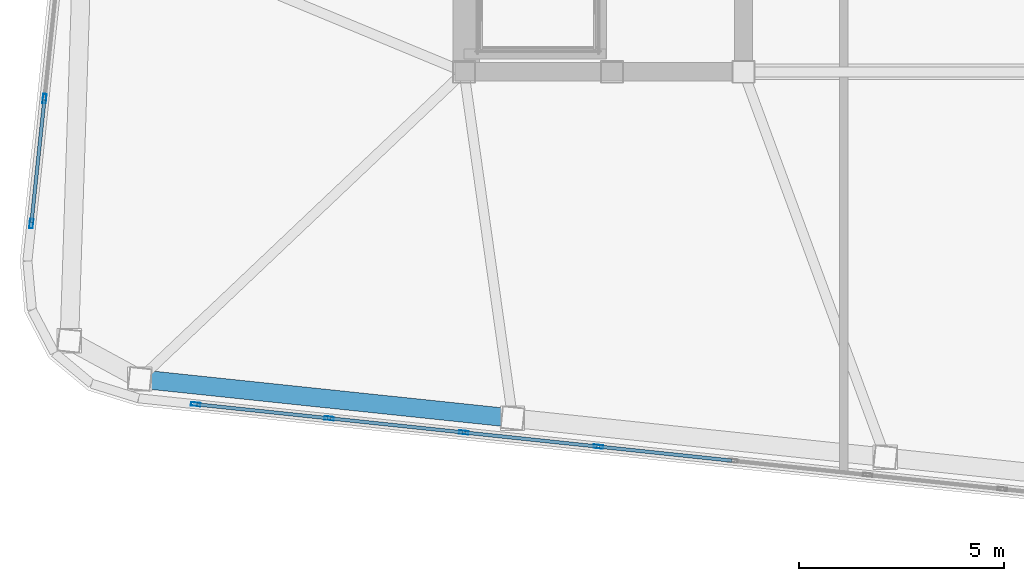
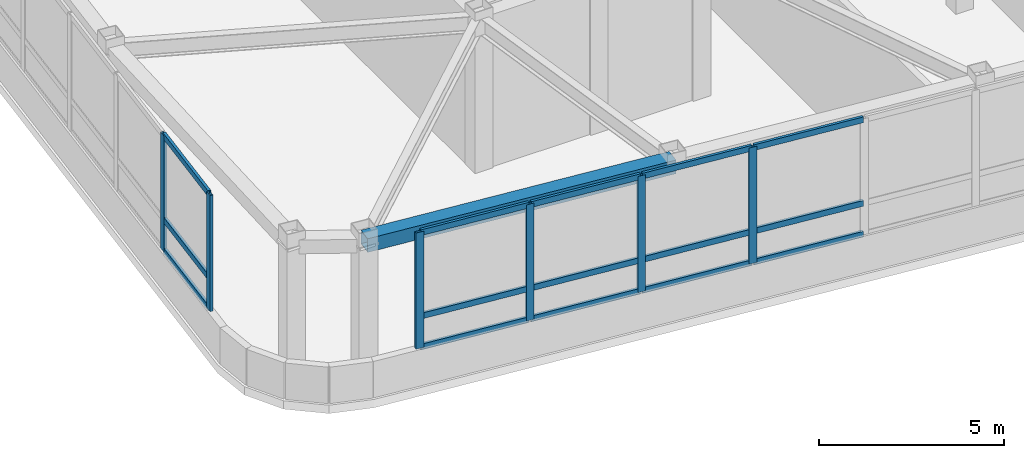
# One storey, part 2 of 23: 21 members, 1 beam, 2 elements without a shape of their own.
"""IFC4 building model written with IfcOpenShell, lengths in metres."""

from ifc_helpers import new_model, si_unit, direction, frame, origin, origin_2d, place, context, subcontext, project, spatial, hollow_rectangle, extrude, material, layer, layer_set, material_profile, profile_set, type_object, element, aggregate, save


model = new_model("IFC4")

# Units and contexts
model_context = context("Model", 3, precision=1e-05, world=origin(), true_north=direction((0.0, 1.0)))
body_context = subcontext(model_context, "Body", "Model", "MODEL_VIEW")
ifc_project = project(units=[si_unit("LENGTHUNIT", "METRE"), si_unit("AREAUNIT", "SQUARE_METRE"), si_unit("VOLUMEUNIT", "CUBIC_METRE"), si_unit("PLANEANGLEUNIT", "RADIAN"), si_unit("MASSUNIT", "GRAM", prefix="KILO")], contexts=[model_context])

# Site, building, storey
site_placement = place(None, origin())
site = spatial("IfcSite", under=ifc_project, at=site_placement, CompositionType="ELEMENT")
building_placement = place(site_placement, origin())
building = spatial("IfcBuilding", under=site, at=building_placement, Name="Voryun Gate Residences", CompositionType="ELEMENT")
storey_placement = place(building_placement, frame((0.0, 0.0, 331.89990234375)))
storey = spatial("IfcBuildingStorey", under=building, at=storey_placement, Name="L81", CompositionType="ELEMENT", Elevation=331.89990234375)

# Beam
ifc_material_1 = material(Name="Steel SM355", Category="steel")
ifc_material_profile_1 = material_profile(ifc_material_1, hollow_rectangle(XDim=0.449951171875, YDim=0.449951171875, WallThickness=0.01806640625, at=origin_2d()), Name="BOX-450x450x18")
ifc_profile_set_1 = profile_set([ifc_material_profile_1], Name="Steel SM355")
beam_type = type_object("IfcBeamType", Name="BM_CROWN_RING", PredefinedType="BEAM", material=ifc_profile_set_1)
beam_placement = place(storey_placement, frame((-27.088623046875, -14.871826171875, 4.800048828125), z_axis=(0.994523919568, -0.104509202498, 0.0), x_axis=(0.104509202498, 0.994523919568, 0.0)))
element("IfcBeam", 1, at=beam_placement, inside=storey, type_object=beam_type, Name="BM-L81-SPAND-01", PredefinedType="BEAM", context=body_context, shape_type="SweptSolid", body=[
    extrude(hollow_rectangle(XDim=0.449951171875, YDim=0.449951171875, WallThickness=0.01806640625, at=origin_2d()), origin(), (0.0, 0.0, 1.0), 9.1201171875),
])

# Curtain wall, members
ifc_material_2 = material(Name="Anodised aluminium", Category="aluminium")
ifc_layer = layer(ifc_material_2, 0.22998046875, Name="CW_SYS_LANTERN_DARK_GLASS")
ifc_layer_set = layer_set([ifc_layer], Name="Anodised aluminium")
curtain_wall_type = type_object("IfcCurtainWallType", Name="CW_SYS_LANTERN_DARK_GLASS", PredefinedType="NOTDEFINED", material=ifc_layer_set)
curtain_wall_1_placement = place(storey_placement, origin())
curtain_wall_1 = element("IfcCurtainWall", 2, at=curtain_wall_1_placement, inside=storey, type_object=curtain_wall_type, Name="Curtain wall CW6-L81-01", PredefinedType="NOTDEFINED")
ifc_material_3 = material(Name="Anodised aluminium", Category="aluminium")
ifc_material_profile_2 = material_profile(ifc_material_3, hollow_rectangle(XDim=0.0849609375, YDim=0.22998046875, WallThickness=0.006103515625, at=origin_2d()), Name="ALU-MULL-230x85x6")
ifc_profile_set_2 = profile_set([ifc_material_profile_2], Name="Anodised aluminium")
member_type_1 = type_object("IfcMemberType", Name="CW_MULL_LANT", PredefinedType="MULLION", material=ifc_profile_set_2)
member_1_placement = place(storey_placement, frame((-15.930908203125, -16.51708984375, 1.190185546875), z_axis=(0.0, 0.0, 1.0), x_axis=(-0.10452775858, -0.994521969434, 0.0)))
member_1 = element("IfcMember", 3, at=member_1_placement, type_object=member_type_1, Name="CW6 mullion 11", PredefinedType="MULLION", context=body_context, shape_type="SweptSolid", body=[
    extrude(hollow_rectangle(XDim=0.0849609375, YDim=0.22998046875, WallThickness=0.006103515625, at=origin_2d()), origin(), (0.0, 0.0, 1.0), 3.8349609375),
])
member_2_placement = place(storey_placement, frame((-19.20751953125, -16.172607421875, 1.190185546875), z_axis=(0.0, 0.0, 1.0), x_axis=(-0.10452775858, -0.994521969434, 0.0)))
member_2 = element("IfcMember", 4, at=member_2_placement, type_object=member_type_1, Name="CW6 mullion 12", PredefinedType="MULLION", context=body_context, shape_type="SweptSolid", body=[
    extrude(hollow_rectangle(XDim=0.0849609375, YDim=0.22998046875, WallThickness=0.006103515625, at=origin_2d()), origin(), (0.0, 0.0, 1.0), 3.8349609375),
])
member_3_placement = place(storey_placement, frame((-22.484130859375, -15.828369140625, 1.190185546875), z_axis=(0.0, 0.0, 1.0), x_axis=(-0.10452775858, -0.994521969434, 0.0)))
member_3 = element("IfcMember", 5, at=member_3_placement, type_object=member_type_1, Name="CW6 mullion 13", PredefinedType="MULLION", context=body_context, shape_type="SweptSolid", body=[
    extrude(hollow_rectangle(XDim=0.0849609375, YDim=0.22998046875, WallThickness=0.006103515625, at=origin_2d()), origin(), (0.0, 0.0, 1.0), 3.8349609375),
])
member_4_placement = place(storey_placement, frame((-25.73095703125, -15.487060546875, 1.190185546875), z_axis=(0.0, 0.0, 1.0), x_axis=(-0.10452775858, -0.994521969434, 0.0)))
member_4 = element("IfcMember", 6, at=member_4_placement, type_object=member_type_1, Name="CW6 mullion 14", PredefinedType="MULLION", context=body_context, shape_type="SweptSolid", body=[
    extrude(hollow_rectangle(XDim=0.0849609375, YDim=0.22998046875, WallThickness=0.006103515625, at=origin_2d()), origin(), (0.0, 0.0, 1.0), 3.8349609375),
])

curtain_wall_2_placement = place(storey_placement, origin())
curtain_wall_2 = element("IfcCurtainWall", 7, at=curtain_wall_2_placement, inside=storey, type_object=curtain_wall_type, Name="Curtain wall CW6-L81-06", PredefinedType="NOTDEFINED")
member_5_placement = place(storey_placement, frame((-29.727783203125, -11.090576171875, 1.190185546875), z_axis=(0.0, 0.0, 1.0), x_axis=(-0.994521943608, 0.104528004296, 0.0)))
member_5 = element("IfcMember", 8, at=member_5_placement, type_object=member_type_1, Name="CW6 mullion 1", PredefinedType="MULLION", context=body_context, shape_type="SweptSolid", body=[
    extrude(hollow_rectangle(XDim=0.0849609375, YDim=0.22998046875, WallThickness=0.006103515625, at=origin_2d()), origin(), (0.0, 0.0, 1.0), 3.8349609375),
])
member_6_placement = place(storey_placement, frame((-29.408203125, -8.04931640625, 1.190185546875), z_axis=(0.0, 0.0, 1.0), x_axis=(-0.994521943608, 0.104528004296, 0.0)))
member_6 = element("IfcMember", 9, at=member_6_placement, type_object=member_type_1, Name="CW6 mullion 2", PredefinedType="MULLION", context=body_context, shape_type="SweptSolid", body=[
    extrude(hollow_rectangle(XDim=0.0849609375, YDim=0.22998046875, WallThickness=0.006103515625, at=origin_2d()), origin(), (0.0, 0.0, 1.0), 3.8349609375),
])

# Member
ifc_material_4 = material(Name="Anodised aluminium", Category="aluminium")
ifc_material_profile_3 = material_profile(ifc_material_4, hollow_rectangle(XDim=0.0849609375, YDim=0.18994140625, WallThickness=0.006103515625, at=origin_2d()), Name="ALU-TRAN-190x85x6")
ifc_profile_set_3 = profile_set([ifc_material_profile_3], Name="Anodised aluminium")
member_type_2 = type_object("IfcMemberType", Name="CW_TRAN_LANT", PredefinedType="USERDEFINED", material=ifc_profile_set_3)
member_7_placement = place(storey_placement, frame((-12.68408203125, -16.8583984375, 1.22021484375), z_axis=(-0.994520745033, 0.104539407398, 0.0), x_axis=(-0.104539407398, -0.994520745033, 0.0)))
member_7 = element("IfcMember", 10, at=member_7_placement, type_object=member_type_2, Name="CW6 transom 10.1", ObjectType="TRANSOM", PredefinedType="USERDEFINED", context=body_context, shape_type="SweptSolid", body=[
    extrude(hollow_rectangle(XDim=0.0849609375, YDim=0.18994140625, WallThickness=0.006103515625, at=origin_2d()), origin(), (0.0, 0.0, 1.0), 3.234619140625),
])

member_8_placement = place(storey_placement, frame((-12.68408203125, -16.8583984375, 2.239990234375), z_axis=(-0.994520745033, 0.104539407398, 0.0), x_axis=(-0.104539407398, -0.994520745033, 0.0)))
member_8 = element("IfcMember", 11, at=member_8_placement, type_object=member_type_2, Name="CW6 transom 10.2", ObjectType="TRANSOM", PredefinedType="USERDEFINED", context=body_context, shape_type="SweptSolid", body=[
    extrude(hollow_rectangle(XDim=0.0849609375, YDim=0.18994140625, WallThickness=0.006103515625, at=origin_2d()), origin(), (0.0, 0.0, 1.0), 3.234619140625),
])

member_9_placement = place(storey_placement, frame((-12.68408203125, -16.8583984375, 4.9951171875), z_axis=(-0.994520745033, 0.104539407398, 0.0), x_axis=(-0.104539407398, -0.994520745033, 0.0)))
member_9 = element("IfcMember", 12, at=member_9_placement, type_object=member_type_2, Name="CW6 transom 10.3", ObjectType="TRANSOM", PredefinedType="USERDEFINED", context=body_context, shape_type="SweptSolid", body=[
    extrude(hollow_rectangle(XDim=0.0849609375, YDim=0.18994140625, WallThickness=0.006103515625, at=origin_2d()), origin(), (0.0, 0.0, 1.0), 3.234619140625),
])

member_10_placement = place(storey_placement, frame((-15.960693359375, -16.513916015625, 1.22021484375), z_axis=(-0.994521569819, 0.104531560613, 0.0), x_axis=(-0.104531560613, -0.994521569819, 0.0)))
member_10 = element("IfcMember", 13, at=member_10_placement, type_object=member_type_2, Name="CW6 transom 11.1", ObjectType="TRANSOM", PredefinedType="USERDEFINED", context=body_context, shape_type="SweptSolid", body=[
    extrude(hollow_rectangle(XDim=0.0849609375, YDim=0.18994140625, WallThickness=0.006103515625, at=origin_2d()), origin(), (0.0, 0.0, 1.0), 3.23486328125),
])

member_11_placement = place(storey_placement, frame((-15.960693359375, -16.513916015625, 2.239990234375), z_axis=(-0.994521569819, 0.104531560613, 0.0), x_axis=(-0.104531560613, -0.994521569819, 0.0)))
member_11 = element("IfcMember", 14, at=member_11_placement, type_object=member_type_2, Name="CW6 transom 11.2", ObjectType="TRANSOM", PredefinedType="USERDEFINED", context=body_context, shape_type="SweptSolid", body=[
    extrude(hollow_rectangle(XDim=0.0849609375, YDim=0.18994140625, WallThickness=0.006103515625, at=origin_2d()), origin(), (0.0, 0.0, 1.0), 3.23486328125),
])

member_12_placement = place(storey_placement, frame((-15.960693359375, -16.513916015625, 4.9951171875), z_axis=(-0.994521569819, 0.104531560613, 0.0), x_axis=(-0.104531560613, -0.994521569819, 0.0)))
member_12 = element("IfcMember", 15, at=member_12_placement, type_object=member_type_2, Name="CW6 transom 11.3", ObjectType="TRANSOM", PredefinedType="USERDEFINED", context=body_context, shape_type="SweptSolid", body=[
    extrude(hollow_rectangle(XDim=0.0849609375, YDim=0.18994140625, WallThickness=0.006103515625, at=origin_2d()), origin(), (0.0, 0.0, 1.0), 3.23486328125),
])

member_13_placement = place(storey_placement, frame((-19.2373046875, -16.16943359375, 1.22021484375), z_axis=(-0.994521569819, 0.104531560613, 0.0), x_axis=(-0.104531560613, -0.994521569819, 0.0)))
member_13 = element("IfcMember", 16, at=member_13_placement, type_object=member_type_2, Name="CW6 transom 12.1", ObjectType="TRANSOM", PredefinedType="USERDEFINED", context=body_context, shape_type="SweptSolid", body=[
    extrude(hollow_rectangle(XDim=0.0849609375, YDim=0.18994140625, WallThickness=0.006103515625, at=origin_2d()), origin(), (0.0, 0.0, 1.0), 3.23486328125),
])

member_14_placement = place(storey_placement, frame((-19.2373046875, -16.16943359375, 2.239990234375), z_axis=(-0.994521569819, 0.104531560613, 0.0), x_axis=(-0.104531560613, -0.994521569819, 0.0)))
member_14 = element("IfcMember", 17, at=member_14_placement, type_object=member_type_2, Name="CW6 transom 12.2", ObjectType="TRANSOM", PredefinedType="USERDEFINED", context=body_context, shape_type="SweptSolid", body=[
    extrude(hollow_rectangle(XDim=0.0849609375, YDim=0.18994140625, WallThickness=0.006103515625, at=origin_2d()), origin(), (0.0, 0.0, 1.0), 3.23486328125),
])

member_15_placement = place(storey_placement, frame((-19.2373046875, -16.16943359375, 4.9951171875), z_axis=(-0.994521569819, 0.104531560613, 0.0), x_axis=(-0.104531560613, -0.994521569819, 0.0)))
member_15 = element("IfcMember", 18, at=member_15_placement, type_object=member_type_2, Name="CW6 transom 12.3", ObjectType="TRANSOM", PredefinedType="USERDEFINED", context=body_context, shape_type="SweptSolid", body=[
    extrude(hollow_rectangle(XDim=0.0849609375, YDim=0.18994140625, WallThickness=0.006103515625, at=origin_2d()), origin(), (0.0, 0.0, 1.0), 3.23486328125),
])

member_16_placement = place(storey_placement, frame((-22.513916015625, -15.8251953125, 1.22021484375), z_axis=(-0.994522138405, 0.104526150903, 0.0), x_axis=(-0.104526150903, -0.994522138405, 0.0)))
member_16 = element("IfcMember", 19, at=member_16_placement, type_object=member_type_2, Name="CW6 transom 13.1", ObjectType="TRANSOM", PredefinedType="USERDEFINED", context=body_context, shape_type="SweptSolid", body=[
    extrude(hollow_rectangle(XDim=0.0849609375, YDim=0.18994140625, WallThickness=0.006103515625, at=origin_2d()), origin(), (0.0, 0.0, 1.0), 3.20458984375),
])

member_17_placement = place(storey_placement, frame((-22.513916015625, -15.8251953125, 2.239990234375), z_axis=(-0.994522138405, 0.104526150903, 0.0), x_axis=(-0.104526150903, -0.994522138405, 0.0)))
member_17 = element("IfcMember", 20, at=member_17_placement, type_object=member_type_2, Name="CW6 transom 13.2", ObjectType="TRANSOM", PredefinedType="USERDEFINED", context=body_context, shape_type="SweptSolid", body=[
    extrude(hollow_rectangle(XDim=0.0849609375, YDim=0.18994140625, WallThickness=0.006103515625, at=origin_2d()), origin(), (0.0, 0.0, 1.0), 3.20458984375),
])

member_18_placement = place(storey_placement, frame((-22.513916015625, -15.8251953125, 4.9951171875), z_axis=(-0.994522138405, 0.104526150903, 0.0), x_axis=(-0.104526150903, -0.994522138405, 0.0)))
member_18 = element("IfcMember", 21, at=member_18_placement, type_object=member_type_2, Name="CW6 transom 13.3", ObjectType="TRANSOM", PredefinedType="USERDEFINED", context=body_context, shape_type="SweptSolid", body=[
    extrude(hollow_rectangle(XDim=0.0849609375, YDim=0.18994140625, WallThickness=0.006103515625, at=origin_2d()), origin(), (0.0, 0.0, 1.0), 3.20458984375),
])

aggregate(curtain_wall_1, [member_1, member_2, member_3, member_4, member_7, member_8, member_9, member_10, member_11, member_12, member_13, member_14, member_15, member_16, member_17, member_18])

member_19_placement = place(storey_placement, frame((-29.724609375, -11.060546875, 1.22021484375), z_axis=(0.104485537102, 0.994526406153, 0.0), x_axis=(-0.994526406153, 0.104485537102, 0.0)))
member_19 = element("IfcMember", 22, at=member_19_placement, type_object=member_type_2, Name="CW6 transom 1.1", ObjectType="TRANSOM", PredefinedType="USERDEFINED", context=body_context, shape_type="SweptSolid", body=[
    extrude(hollow_rectangle(XDim=0.0849609375, YDim=0.18994140625, WallThickness=0.006103515625, at=origin_2d()), origin(), (0.0, 0.0, 1.0), 2.997802734375),
])

member_20_placement = place(storey_placement, frame((-29.724609375, -11.060546875, 2.239990234375), z_axis=(0.104485537102, 0.994526406153, 0.0), x_axis=(-0.994526406153, 0.104485537102, 0.0)))
member_20 = element("IfcMember", 23, at=member_20_placement, type_object=member_type_2, Name="CW6 transom 1.2", ObjectType="TRANSOM", PredefinedType="USERDEFINED", context=body_context, shape_type="SweptSolid", body=[
    extrude(hollow_rectangle(XDim=0.0849609375, YDim=0.18994140625, WallThickness=0.006103515625, at=origin_2d()), origin(), (0.0, 0.0, 1.0), 2.997802734375),
])

member_21_placement = place(storey_placement, frame((-29.724609375, -11.060546875, 4.9951171875), z_axis=(0.104485537102, 0.994526406153, 0.0), x_axis=(-0.994526406153, 0.104485537102, 0.0)))
member_21 = element("IfcMember", 24, at=member_21_placement, type_object=member_type_2, Name="CW6 transom 1.3", ObjectType="TRANSOM", PredefinedType="USERDEFINED", context=body_context, shape_type="SweptSolid", body=[
    extrude(hollow_rectangle(XDim=0.0849609375, YDim=0.18994140625, WallThickness=0.006103515625, at=origin_2d()), origin(), (0.0, 0.0, 1.0), 2.997802734375),
])

aggregate(curtain_wall_2, [member_5, member_6, member_19, member_20, member_21])

save(model, "model.ifc")
